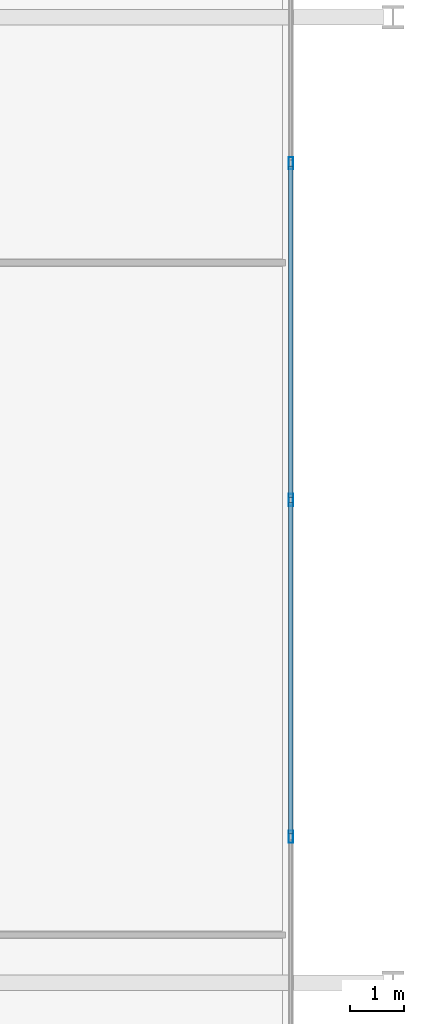
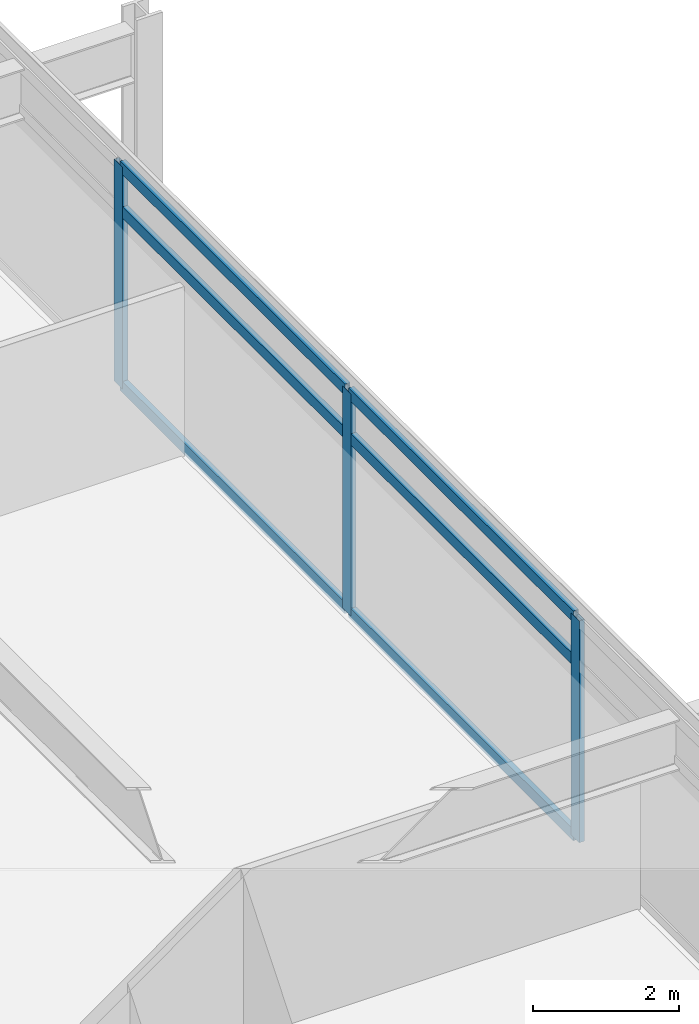
# One storey, part 4 of 23: 9 members, 1 element without a shape of its own.
"""IFC4 building model written with IfcOpenShell, lengths in metres."""

from ifc_helpers import new_model, si_unit, direction, frame, origin, origin_2d, place, context, subcontext, project, spatial, hollow_rectangle, extrude, material, material_profile, profile_set, type_object, element, aggregate, save


model = new_model("IFC4")

# Units and contexts
model_context = context("Model", 3, precision=1e-05, world=origin(), true_north=direction((0.0, 1.0)))
body_context = subcontext(model_context, "Body", "Model", "MODEL_VIEW")
ifc_project = project(units=[si_unit("LENGTHUNIT", "METRE"), si_unit("AREAUNIT", "SQUARE_METRE"), si_unit("VOLUMEUNIT", "CUBIC_METRE"), si_unit("PLANEANGLEUNIT", "RADIAN"), si_unit("MASSUNIT", "GRAM", prefix="KILO")], contexts=[model_context])

# Site, building, storey
site_placement = place(None, origin())
site = spatial("IfcSite", under=ifc_project, at=site_placement, CompositionType="ELEMENT")
building_placement = place(site_placement, origin())
building = spatial("IfcBuilding", under=site, at=building_placement, Name="Kovane Verandah Tower", CompositionType="ELEMENT")
storey_placement = place(building_placement, frame((0.0, 0.0, 55.60009765625)))
storey = spatial("IfcBuildingStorey", under=building, at=storey_placement, Name="L12", CompositionType="ELEMENT", Elevation=55.60009765625)

# Curtain wall, members
ifc_material_1 = material(Name="Champagne Anodised Aluminium Frame with Low-E Clear Laminated Glass", Category="aluminium")
curtain_wall_type = type_object("IfcCurtainWallType", Name="CW-SYS-02-LOW", PredefinedType="NOTDEFINED", material=ifc_material_1)
curtain_wall_placement = place(storey_placement, origin())
curtain_wall = element("IfcCurtainWall", 1, at=curtain_wall_placement, inside=storey, type_object=curtain_wall_type, Name="L12 E Unitised Curtain Wall", PredefinedType="NOTDEFINED")
ifc_material_2 = material(Name="Champagne Anodised Aluminium 6063-T6", Category="aluminium")
ifc_material_profile_1 = material_profile(ifc_material_2, hollow_rectangle(XDim=0.0849609375, YDim=0.22998046875, WallThickness=0.00390625, at=origin_2d()), Name="AL85x230x4")
ifc_profile_set_1 = profile_set([ifc_material_profile_1], Name="Champagne Anodised Aluminium 6063-T6")
member_type_1 = type_object("IfcMemberType", Name="CW-MUL-85x230", PredefinedType="MULLION", material=ifc_profile_set_1)
member_1_placement = place(storey_placement, frame((65.696044921875, 21.224365234375, 0.02001953125), z_axis=(0.0, 0.0, 1.0), x_axis=(1.0, 0.0, 0.0)))
member_1 = element("IfcMember", 2, at=member_1_placement, type_object=member_type_1, Name="L12 E Unitised Curtain Wall Mullion 3", PredefinedType="MULLION", context=body_context, shape_type="SweptSolid", body=[
    extrude(hollow_rectangle(XDim=0.0849609375, YDim=0.22998046875, WallThickness=0.00390625, at=origin_2d()), origin(), (0.0, 0.0, 1.0), 3.719970703125),
])
member_2_placement = place(storey_placement, frame((65.696044921875, 27.5, 0.02001953125), z_axis=(0.0, 0.0, 1.0), x_axis=(1.0, 0.0, 0.0)))
member_2 = element("IfcMember", 3, at=member_2_placement, type_object=member_type_1, Name="L12 E Unitised Curtain Wall Mullion 4", PredefinedType="MULLION", context=body_context, shape_type="SweptSolid", body=[
    extrude(hollow_rectangle(XDim=0.0849609375, YDim=0.22998046875, WallThickness=0.00390625, at=origin_2d()), origin(), (0.0, 0.0, 1.0), 3.719970703125),
])
member_3_placement = place(storey_placement, frame((65.696044921875, 33.775634765625, 0.02001953125), z_axis=(0.0, 0.0, 1.0), x_axis=(1.0, 0.0, 0.0)))
member_3 = element("IfcMember", 4, at=member_3_placement, type_object=member_type_1, Name="L12 E Unitised Curtain Wall Mullion 5", PredefinedType="MULLION", context=body_context, shape_type="SweptSolid", body=[
    extrude(hollow_rectangle(XDim=0.0849609375, YDim=0.22998046875, WallThickness=0.00390625, at=origin_2d()), origin(), (0.0, 0.0, 1.0), 3.719970703125),
])
ifc_material_profile_2 = material_profile(ifc_material_2, hollow_rectangle(XDim=0.0849609375, YDim=0.18994140625, WallThickness=0.00390625, at=origin_2d()), Name="AL85x190x4")
ifc_profile_set_2 = profile_set([ifc_material_profile_2], Name="Champagne Anodised Aluminium 6063-T6")
member_type_2 = type_object("IfcMemberType", Name="CW-TRN-85x190", PredefinedType="USERDEFINED", material=ifc_profile_set_2)
member_4_placement = place(storey_placement, frame((65.696044921875, 21.2744140625, 0.0498046875), z_axis=(0.0, 1.0, 0.0), x_axis=(-1.0, 0.0, 0.0)))
member_4 = element("IfcMember", 5, at=member_4_placement, type_object=member_type_2, Name="L12 E Unitised Curtain Wall Transom TB Bay 3", ObjectType="TRANSOM", PredefinedType="USERDEFINED", context=body_context, shape_type="SweptSolid", body=[
    extrude(hollow_rectangle(XDim=0.0849609375, YDim=0.18994140625, WallThickness=0.00390625, at=origin_2d()), origin(), (0.0, 0.0, 1.0), 6.175537109375),
])
member_5_placement = place(storey_placement, frame((65.696044921875, 21.2744140625, 2.97998046875), z_axis=(0.0, 1.0, 0.0), x_axis=(-1.0, 0.0, 0.0)))
member_5 = element("IfcMember", 6, at=member_5_placement, type_object=member_type_2, Name="L12 E Unitised Curtain Wall Transom TM Bay 3", ObjectType="TRANSOM", PredefinedType="USERDEFINED", context=body_context, shape_type="SweptSolid", body=[
    extrude(hollow_rectangle(XDim=0.0849609375, YDim=0.18994140625, WallThickness=0.00390625, at=origin_2d()), origin(), (0.0, 0.0, 1.0), 6.175537109375),
])
member_6_placement = place(storey_placement, frame((65.696044921875, 21.2744140625, 3.7099609375), z_axis=(0.0, 1.0, 0.0), x_axis=(-1.0, 0.0, 0.0)))
member_6 = element("IfcMember", 7, at=member_6_placement, type_object=member_type_2, Name="L12 E Unitised Curtain Wall Transom TT Bay 3", ObjectType="TRANSOM", PredefinedType="USERDEFINED", context=body_context, shape_type="SweptSolid", body=[
    extrude(hollow_rectangle(XDim=0.0849609375, YDim=0.18994140625, WallThickness=0.00390625, at=origin_2d()), origin(), (0.0, 0.0, 1.0), 6.175537109375),
])
member_7_placement = place(storey_placement, frame((65.696044921875, 27.550048828125, 0.0498046875), z_axis=(0.0, 1.0, 0.0), x_axis=(-1.0, 0.0, 0.0)))
member_7 = element("IfcMember", 8, at=member_7_placement, type_object=member_type_2, Name="L12 E Unitised Curtain Wall Transom TB Bay 4", ObjectType="TRANSOM", PredefinedType="USERDEFINED", context=body_context, shape_type="SweptSolid", body=[
    extrude(hollow_rectangle(XDim=0.0849609375, YDim=0.18994140625, WallThickness=0.00390625, at=origin_2d()), origin(), (0.0, 0.0, 1.0), 6.175537109375),
])
member_8_placement = place(storey_placement, frame((65.696044921875, 27.550048828125, 2.97998046875), z_axis=(0.0, 1.0, 0.0), x_axis=(-1.0, 0.0, 0.0)))
member_8 = element("IfcMember", 9, at=member_8_placement, type_object=member_type_2, Name="L12 E Unitised Curtain Wall Transom TM Bay 4", ObjectType="TRANSOM", PredefinedType="USERDEFINED", context=body_context, shape_type="SweptSolid", body=[
    extrude(hollow_rectangle(XDim=0.0849609375, YDim=0.18994140625, WallThickness=0.00390625, at=origin_2d()), origin(), (0.0, 0.0, 1.0), 6.175537109375),
])
member_9_placement = place(storey_placement, frame((65.696044921875, 27.550048828125, 3.7099609375), z_axis=(0.0, 1.0, 0.0), x_axis=(-1.0, 0.0, 0.0)))
member_9 = element("IfcMember", 10, at=member_9_placement, type_object=member_type_2, Name="L12 E Unitised Curtain Wall Transom TT Bay 4", ObjectType="TRANSOM", PredefinedType="USERDEFINED", context=body_context, shape_type="SweptSolid", body=[
    extrude(hollow_rectangle(XDim=0.0849609375, YDim=0.18994140625, WallThickness=0.00390625, at=origin_2d()), origin(), (0.0, 0.0, 1.0), 6.175537109375),
])
aggregate(curtain_wall, [member_1, member_2, member_3, member_4, member_5, member_6, member_7, member_8, member_9])

save(model, "model.ifc")
